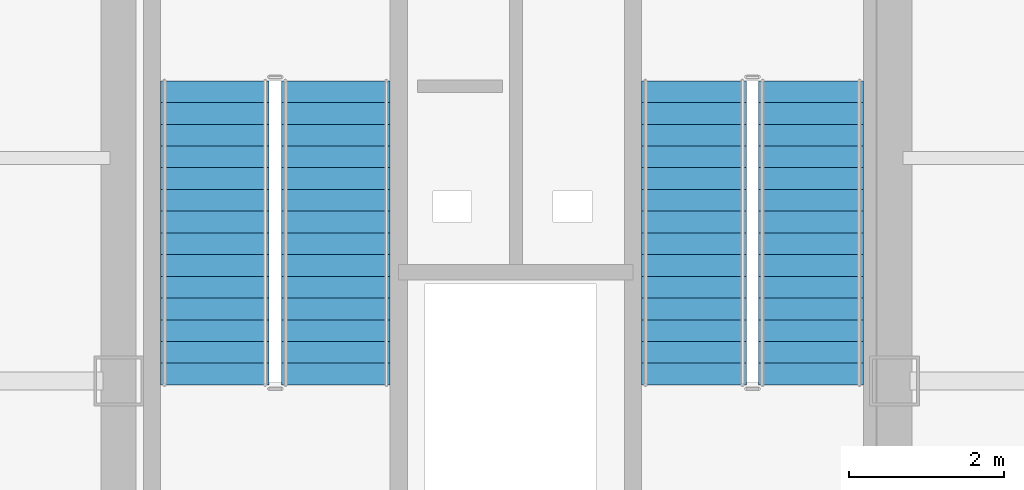
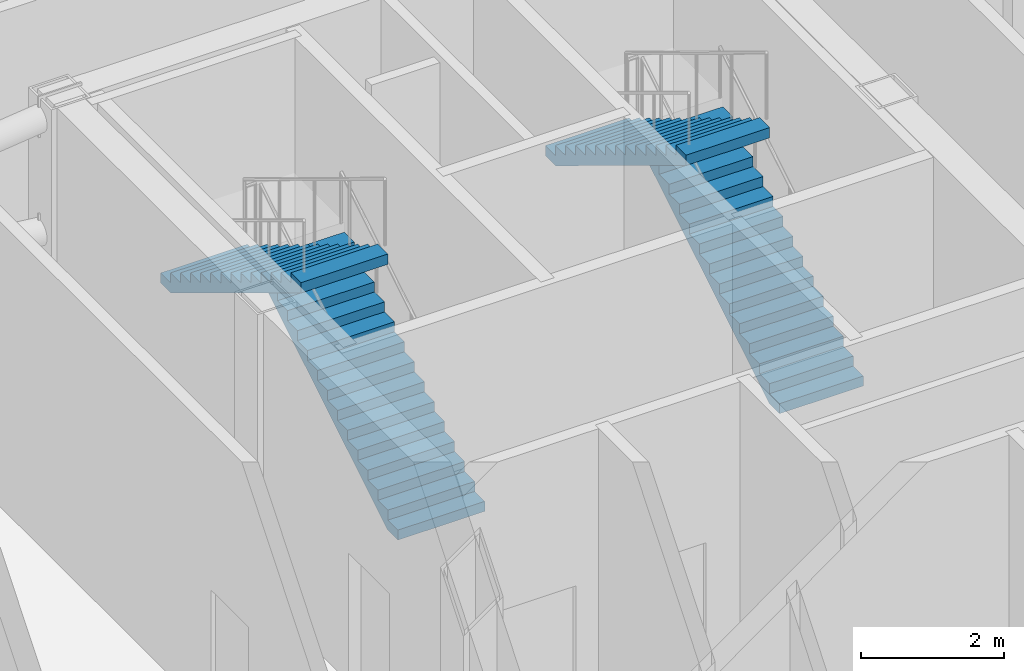
# One storey, part 7 of 10: 4 stair flights, 2 elements without a shape of their own.
"""IFC4 building model written with IfcOpenShell, lengths in metres."""

import ifcopenshell
import ifcopenshell.guid

model = None  # the IFC model being written
_history = None  # IfcOwnerHistory: only IFC2X3 demands one
_inside = {}  # id of a spatial element -> (the spatial element, [elements in it])
_under = {}  # id of a project, library or spatial element -> (it, [spatial elements below it])
_declared = {}  # id of a project -> (the project, [libraries it declares])
_typed = {}  # id of a type object -> (the type object, [elements of that type])
_made_of = {}  # id of a material, layer set ... -> (it, [elements and type objects made of it])


def new_model(schema):
    """Start an empty IFC model of exactly this schema.

    Asked for "IFC4X3", IfcOpenShell would pick the latest addendum, in which some entities
    have other attributes; the version numbers below select the first issue.
    IFC2X3 requires an IfcOwnerHistory on every rooted entity: one is made here for all.
    """
    global model, _history
    if schema == "IFC4X3":
        model = ifcopenshell.file(schema_version=(4, 3, 0, 0))
    else:
        model = ifcopenshell.file(schema=schema)
    _inside.clear()
    _under.clear()
    _declared.clear()
    _typed.clear()
    _made_of.clear()
    _history = None
    if model.schema == "IFC2X3":
        org = make("IfcOrganization", Name="unknown")
        user = make(
            "IfcPersonAndOrganization",
            ThePerson=make("IfcPerson", FamilyName="unknown"),
            TheOrganization=org,
        )
        app = make(
            "IfcApplication",
            ApplicationDeveloper=org,
            Version="unknown",
            ApplicationFullName="unknown",
            ApplicationIdentifier="unknown",
        )
        _history = make(
            "IfcOwnerHistory",
            OwningUser=user,
            OwningApplication=app,
            ChangeAction="ADDED",
            CreationDate=0,
        )
    return model


def make(cls, **values):
    """One entity of the class cls with the attributes given. An attribute that is None is left unset."""
    return model.create_entity(
        cls, **{name: value for name, value in values.items() if value is not None}
    )


def rooted(cls, **values):
    """An entity with a GlobalId (a new one), such as an element, a storey or a relation."""
    return make(cls, GlobalId=ifcopenshell.guid.new(), OwnerHistory=_history, **values)


def si_unit(unit_type, name, prefix=None):
    """IfcSIUnit, for example si_unit("LENGTHUNIT", "METRE", prefix="MILLI")."""
    return make("IfcSIUnit", UnitType=unit_type, Prefix=prefix, Name=name)


def assignment(units):
    """IfcUnitAssignment: the units of a project."""
    return None if units is None else make("IfcUnitAssignment", Units=units)


def point(xyz):
    """IfcCartesianPoint."""
    return None if xyz is None else make("IfcCartesianPoint", Coordinates=xyz)


def direction(xyz):
    """IfcDirection."""
    return None if xyz is None else make("IfcDirection", DirectionRatios=xyz)


def frame(location, z_axis=None, x_axis=None):
    """IfcAxis2Placement3D, a coordinate frame: its origin and axes. An axis left out is left unset."""
    return make(
        "IfcAxis2Placement3D",
        Location=point(location),
        Axis=direction(z_axis),
        RefDirection=direction(x_axis),
    )


def origin():
    """The frame at (0, 0, 0) with its axes left unset."""
    return frame((0.0, 0.0, 0.0))


def place(relative_to, where):
    """IfcLocalPlacement: puts the frame where relative to a parent placement (None: the world)."""
    return make(
        "IfcLocalPlacement", PlacementRelTo=relative_to, RelativePlacement=where
    )


def context(
    kind, dimensions, precision=None, world=None, true_north=None, identifier=None
):
    """IfcGeometricRepresentationContext, for example the 3D "Model" context."""
    return make(
        "IfcGeometricRepresentationContext",
        ContextIdentifier=identifier,
        ContextType=kind,
        CoordinateSpaceDimension=dimensions,
        Precision=precision,
        WorldCoordinateSystem=world,
        TrueNorth=true_north,
    )


def subcontext(parent, identifier, kind, view, scale=None):
    """IfcGeometricRepresentationSubContext, for example "Body" below "Model"."""
    return make(
        "IfcGeometricRepresentationSubContext",
        ContextIdentifier=identifier,
        ContextType=kind,
        ParentContext=parent,
        TargetScale=scale,
        TargetView=view,
    )


def project(units=None, contexts=None):
    """IfcProject with its units and contexts."""
    return rooted(
        "IfcProject",
        Name="project",
        RepresentationContexts=contexts,
        UnitsInContext=assignment(units),
    )


def spatial(cls, under=None, at=None, **own):
    """A site, building, storey or space (cls), placed at a placement, below another one or the project."""
    s = rooted(cls, ObjectPlacement=at, **own)
    if under is not None:
        _under.setdefault(under.id(), (under, []))[1].append(s)
    return s


def polyline(points):
    """IfcPolyline through the points."""
    return make("IfcPolyline", Points=[point(p) for p in points])


def outline(outer, holes=None, kind="AREA"):
    """IfcArbitraryClosedProfileDef: a profile drawn as a closed curve; with holes, ...WithVoids."""
    if holes is None:
        return make("IfcArbitraryClosedProfileDef", ProfileType=kind, OuterCurve=outer)
    return make(
        "IfcArbitraryProfileDefWithVoids",
        ProfileType=kind,
        OuterCurve=outer,
        InnerCurves=holes,
    )


def extrude(swept, where, along, depth):
    """IfcExtrudedAreaSolid: the profile swept, set in the frame where, extruded along a direction by depth."""
    return make(
        "IfcExtrudedAreaSolid",
        SweptArea=swept,
        Position=where,
        ExtrudedDirection=direction(along),
        Depth=depth,
    )


def shape(context_of_items, identifier, shape_type, items):
    """IfcShapeRepresentation: the items that make up one representation, for example the "Body"."""
    return make(
        "IfcShapeRepresentation",
        ContextOfItems=context_of_items,
        RepresentationIdentifier=identifier,
        RepresentationType=shape_type,
        Items=items,
    )


def material(Name=None, Category=None):
    """IfcMaterial."""
    return make("IfcMaterial", Name=Name, Category=Category)


def layer(
    of_material, thickness, ventilated=None, Name=None, Category=None, Priority=None
):
    """IfcMaterialLayer: one layer of a wall or slab, of a material (None: an air gap)."""
    return make(
        "IfcMaterialLayer",
        Material=of_material,
        LayerThickness=thickness,
        IsVentilated=ventilated,
        Name=Name,
        Category=Category,
        Priority=Priority,
    )


def layer_set(layers, Name=None):
    """IfcMaterialLayerSet."""
    return make("IfcMaterialLayerSet", MaterialLayers=layers, LayerSetName=Name)


def made_of(thing, what):
    """Note that an element or type object is made of a material, layer set ...; save() writes the relation."""
    if what is not None:
        _made_of.setdefault(what.id(), (what, []))[1].append(thing)
    return thing


def type_object(cls, material=None, **own):
    """A type object (cls), such as IfcWallType, which elements share."""
    return made_of(rooted(cls, **own), material)


def element(
    cls,
    number,
    at=None,
    inside=None,
    cuts=None,
    type_object=None,
    material=None,
    context=None,
    identifier="Body",
    shape_type=None,
    held_by="IfcProductDefinitionShape",
    body=None,
    shapes=None,
    **own,
):
    """One element of the class cls, such as IfcWall. Its Tag is "e" and its number.

    at: its placement. inside: the storey or other place that contains it. cuts: it is an
    opening in that element (IfcRelVoidsElement). A single representation is given by context,
    identifier, shape_type and body (its items); several are given by shapes. held_by: the class
    of the entity that holds the representations. save() writes the other relations.
    """
    e = rooted(cls, Tag="e%d" % number, ObjectPlacement=at, **own)
    if body is not None:
        shapes = [shape(context, identifier, shape_type, body)]
    if shapes is not None:
        e.Representation = make(held_by, Representations=shapes)
    if inside is not None:
        _inside.setdefault(inside.id(), (inside, []))[1].append(e)
    if cuts is not None:
        rooted(
            "IfcRelVoidsElement", RelatingBuildingElement=cuts, RelatedOpeningElement=e
        )
    if type_object is not None:
        _typed.setdefault(type_object.id(), (type_object, []))[1].append(e)
    return made_of(e, material)


def aggregate(whole, parts):
    """IfcRelAggregates: a whole, such as a stair, and the parts it consists of."""
    return rooted("IfcRelAggregates", RelatingObject=whole, RelatedObjects=parts)


def save(model, path):
    """Write the relations noted so far, then the file.

    IfcRelAggregates (storeys below a building ...), IfcRelContainedInSpatialStructure (elements
    in a storey), IfcRelDefinesByType, IfcRelAssociatesMaterial and IfcRelDeclares: one each for
    every whole, place, type object, material and project.
    """
    for whole, parts in _under.values():
        aggregate(whole, parts)
    for where, things in _inside.values():
        rooted(
            "IfcRelContainedInSpatialStructure",
            RelatedElements=things,
            RelatingStructure=where,
        )
    for kind, things in _typed.values():
        rooted("IfcRelDefinesByType", RelatedObjects=things, RelatingType=kind)
    for what, things in _made_of.values():
        rooted("IfcRelAssociatesMaterial", RelatedObjects=things, RelatingMaterial=what)
    for by, libraries in _declared.values():
        rooted("IfcRelDeclares", RelatingContext=by, RelatedDefinitions=libraries)
    model.write(path)


model = new_model("IFC4")

# Units and contexts
model_context = context("Model", 3, precision=1e-05, world=origin(), true_north=direction((0.0, 1.0)))
body_context = subcontext(model_context, "Body", "Model", "MODEL_VIEW")
ifc_project = project(units=[si_unit("LENGTHUNIT", "METRE"), si_unit("AREAUNIT", "SQUARE_METRE"), si_unit("VOLUMEUNIT", "CUBIC_METRE"), si_unit("PLANEANGLEUNIT", "RADIAN"), si_unit("MASSUNIT", "GRAM", prefix="KILO")], contexts=[model_context])

# Site, building, storey
site_placement = place(None, origin())
site = spatial("IfcSite", under=ifc_project, at=site_placement, CompositionType="ELEMENT")
building_placement = place(site_placement, origin())
building = spatial("IfcBuilding", under=site, at=building_placement, Name="Kolveth Station Tower", CompositionType="ELEMENT")
storey_placement = place(building_placement, frame((0.0, 0.0, 188.10009765625)))
storey = spatial("IfcBuildingStorey", under=building, at=storey_placement, Name="L53", CompositionType="ELEMENT", Elevation=188.10009765625)

# Stair, stair flights
ifc_material = material(Name="Concrete C40/50", Category="concrete")
stair_type_1 = type_object("IfcStairType", Name="Stair_ST1", PredefinedType="HALF_TURN_STAIR", material=ifc_material)
stair_1_placement = place(storey_placement, origin())
stair_1 = element("IfcStair", 1, at=stair_1_placement, inside=storey, type_object=stair_type_1, Name="L53 Tower Exit Stair ST1", PredefinedType="HALF_TURN_STAIR")
ifc_layer_1 = layer(ifc_material, 0.179931640625)
ifc_layer_set_1 = layer_set([ifc_layer_1], Name="Concrete C40/50")
stair_flight_type_1 = type_object("IfcStairFlightType", Name="Flight_ST1", PredefinedType="STRAIGHT", material=ifc_layer_set_1)
stair_flight_1_placement = place(storey_placement, frame((21.300048828125, 22.949951171875, 0.0), z_axis=(0.0, 0.0, 1.0), x_axis=(0.0, 1.0, 0.0)))
stair_flight_1 = element("IfcStairFlight", 2, at=stair_flight_1_placement, type_object=stair_flight_type_1, Name="ST1 flight 1", NumberOfRisers=15, NumberOfTreads=14, PredefinedType="STRAIGHT", RiserHeight=0.17, TreadLength=0.28, context=body_context, shape_type="SweptSolid", body=[
    extrude(outline(polyline([(0.0, 0.0), (0.0, 0.169921875), (0.280029296875, 0.169921875), (0.280029296875, 0.340087890625), (0.56005859375, 0.340087890625), (0.56005859375, 0.510009765625), (0.840087890625, 0.510009765625), (0.840087890625, 0.679931640625), (1.1201171875, 0.679931640625), (1.1201171875, 0.85009765625), (1.39990234375, 0.85009765625), (1.39990234375, 1.02001953125), (1.679931640625, 1.02001953125), (1.679931640625, 1.18994140625), (1.9599609375, 1.18994140625), (1.9599609375, 1.360107421875), (2.239990234375, 1.360107421875), (2.239990234375, 1.530029296875), (2.52001953125, 1.530029296875), (2.52001953125, 1.699951171875), (2.800048828125, 1.699951171875), (2.800048828125, 1.8701171875), (3.080078125, 1.8701171875), (3.080078125, 2.0400390625), (3.360107421875, 2.0400390625), (3.360107421875, 2.2099609375), (3.639892578125, 2.2099609375), (3.639892578125, 2.3798828125), (3.919921875, 2.3798828125), (3.919921875, 2.550048828125), (3.919921875, 2.20458984375), (0.288818359375, 0.0), (0.0, 0.0)])), frame((0.0, 0.699951171875, 0.0), z_axis=(0.0, -1.0, 0.0), x_axis=(1.0, 0.0, 0.0)), (0.0, 0.0, 1.0), 1.39990234375),
])
stair_flight_2_placement = place(storey_placement, frame((19.739990234375, 26.8701171875, 2.5498046875), z_axis=(0.0, 0.0, 1.0), x_axis=(0.0, -1.0, 0.0)))
stair_flight_2 = element("IfcStairFlight", 3, at=stair_flight_2_placement, type_object=stair_flight_type_1, Name="ST1 flight 2", NumberOfRisers=15, NumberOfTreads=14, PredefinedType="STRAIGHT", RiserHeight=0.17, TreadLength=0.28, context=body_context, shape_type="SweptSolid", body=[
    extrude(outline(polyline([(0.0, 0.0), (0.0, 0.169921875), (0.280029296875, 0.169921875), (0.280029296875, 0.340087890625), (0.56005859375, 0.340087890625), (0.56005859375, 0.510009765625), (0.840087890625, 0.510009765625), (0.840087890625, 0.679931640625), (1.1201171875, 0.679931640625), (1.1201171875, 0.85009765625), (1.39990234375, 0.85009765625), (1.39990234375, 1.02001953125), (1.679931640625, 1.02001953125), (1.679931640625, 1.18994140625), (1.9599609375, 1.18994140625), (1.9599609375, 1.360107421875), (2.239990234375, 1.360107421875), (2.239990234375, 1.530029296875), (2.52001953125, 1.530029296875), (2.52001953125, 1.699951171875), (2.800048828125, 1.699951171875), (2.800048828125, 1.8701171875), (3.080078125, 1.8701171875), (3.080078125, 2.0400390625), (3.360107421875, 2.0400390625), (3.360107421875, 2.2099609375), (3.639892578125, 2.2099609375), (3.639892578125, 2.3798828125), (3.919921875, 2.3798828125), (3.919921875, 2.550048828125), (3.919921875, 2.20458984375), (0.288818359375, 0.0), (0.0, 0.0)])), frame((0.0, 0.699951171875, 0.0), z_axis=(0.0, -1.0, 0.0), x_axis=(1.0, 0.0, 0.0)), (0.0, 0.0, 1.0), 1.39990234375),
])
aggregate(stair_1, [stair_flight_1, stair_flight_2])

stair_type_2 = type_object("IfcStairType", Name="Stair_ST2", PredefinedType="HALF_TURN_STAIR", material=ifc_material)
stair_2_placement = place(storey_placement, origin())
stair_2 = element("IfcStair", 4, at=stair_2_placement, inside=storey, type_object=stair_type_2, Name="L53 Tower Exit Stair ST2", PredefinedType="HALF_TURN_STAIR")
ifc_layer_2 = layer(ifc_material, 0.179931640625)
ifc_layer_set_2 = layer_set([ifc_layer_2], Name="Concrete C40/50")
stair_flight_type_2 = type_object("IfcStairFlightType", Name="Flight_ST2", PredefinedType="STRAIGHT", material=ifc_layer_set_2)
stair_flight_3_placement = place(storey_placement, frame((27.425048828125, 22.949951171875, 0.0), z_axis=(0.0, 0.0, 1.0), x_axis=(0.0, 1.0, 0.0)))
stair_flight_3 = element("IfcStairFlight", 5, at=stair_flight_3_placement, type_object=stair_flight_type_2, Name="ST2 flight 1", NumberOfRisers=15, NumberOfTreads=14, PredefinedType="STRAIGHT", RiserHeight=0.17, TreadLength=0.28, context=body_context, shape_type="SweptSolid", body=[
    extrude(outline(polyline([(0.0, 0.0), (0.0, 0.169921875), (0.280029296875, 0.169921875), (0.280029296875, 0.340087890625), (0.56005859375, 0.340087890625), (0.56005859375, 0.510009765625), (0.840087890625, 0.510009765625), (0.840087890625, 0.679931640625), (1.1201171875, 0.679931640625), (1.1201171875, 0.85009765625), (1.39990234375, 0.85009765625), (1.39990234375, 1.02001953125), (1.679931640625, 1.02001953125), (1.679931640625, 1.18994140625), (1.9599609375, 1.18994140625), (1.9599609375, 1.360107421875), (2.239990234375, 1.360107421875), (2.239990234375, 1.530029296875), (2.52001953125, 1.530029296875), (2.52001953125, 1.699951171875), (2.800048828125, 1.699951171875), (2.800048828125, 1.8701171875), (3.080078125, 1.8701171875), (3.080078125, 2.0400390625), (3.360107421875, 2.0400390625), (3.360107421875, 2.2099609375), (3.639892578125, 2.2099609375), (3.639892578125, 2.3798828125), (3.919921875, 2.3798828125), (3.919921875, 2.550048828125), (3.919921875, 2.20458984375), (0.288818359375, 0.0), (0.0, 0.0)])), frame((0.0, 0.675048828125, 0.0), z_axis=(0.0, -1.0, 0.0), x_axis=(1.0, 0.0, 0.0)), (0.0, 0.0, 1.0), 1.35009765625),
])
stair_flight_4_placement = place(storey_placement, frame((25.9150390625, 26.8701171875, 2.5498046875), z_axis=(0.0, 0.0, 1.0), x_axis=(0.0, -1.0, 0.0)))
stair_flight_4 = element("IfcStairFlight", 6, at=stair_flight_4_placement, type_object=stair_flight_type_2, Name="ST2 flight 2", NumberOfRisers=15, NumberOfTreads=14, PredefinedType="STRAIGHT", RiserHeight=0.17, TreadLength=0.28, context=body_context, shape_type="SweptSolid", body=[
    extrude(outline(polyline([(0.0, 0.0), (0.0, 0.169921875), (0.280029296875, 0.169921875), (0.280029296875, 0.340087890625), (0.56005859375, 0.340087890625), (0.56005859375, 0.510009765625), (0.840087890625, 0.510009765625), (0.840087890625, 0.679931640625), (1.1201171875, 0.679931640625), (1.1201171875, 0.85009765625), (1.39990234375, 0.85009765625), (1.39990234375, 1.02001953125), (1.679931640625, 1.02001953125), (1.679931640625, 1.18994140625), (1.9599609375, 1.18994140625), (1.9599609375, 1.360107421875), (2.239990234375, 1.360107421875), (2.239990234375, 1.530029296875), (2.52001953125, 1.530029296875), (2.52001953125, 1.699951171875), (2.800048828125, 1.699951171875), (2.800048828125, 1.8701171875), (3.080078125, 1.8701171875), (3.080078125, 2.0400390625), (3.360107421875, 2.0400390625), (3.360107421875, 2.2099609375), (3.639892578125, 2.2099609375), (3.639892578125, 2.3798828125), (3.919921875, 2.3798828125), (3.919921875, 2.550048828125), (3.919921875, 2.20458984375), (0.288818359375, 0.0), (0.0, 0.0)])), frame((0.0, 0.675048828125, 0.0), z_axis=(0.0, -1.0, 0.0), x_axis=(1.0, 0.0, 0.0)), (0.0, 0.0, 1.0), 1.35009765625),
])
aggregate(stair_2, [stair_flight_3, stair_flight_4])

save(model, "model.ifc")
